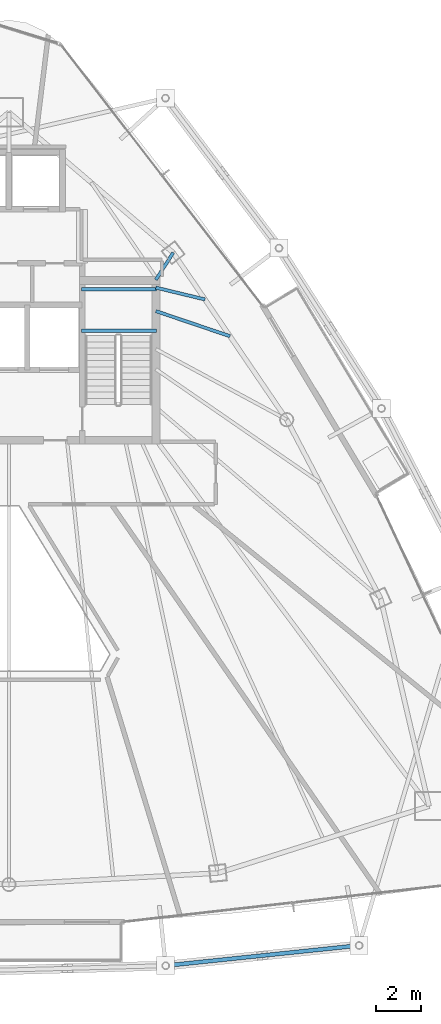
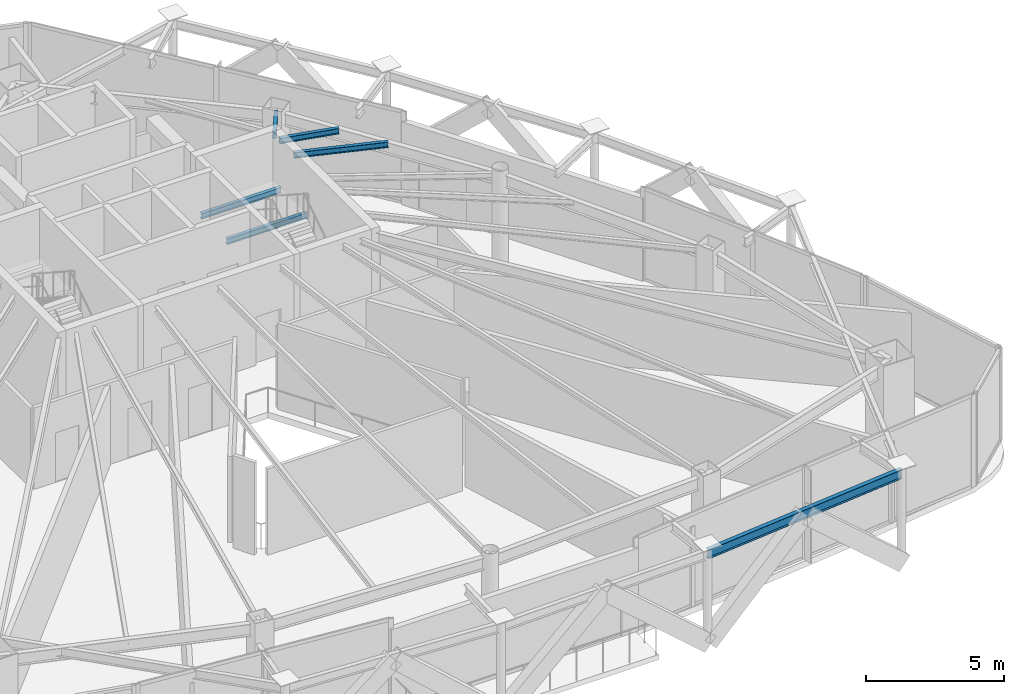
# One storey, part 10 of 25: 6 beams.
"""IFC4 building model written with IfcOpenShell, lengths in metres."""

from ifc_helpers import new_model, si_unit, direction, frame, origin, origin_2d, place, context, subcontext, project, spatial, i_section, extrude, material, material_profile, profile_set, type_object, element, save


model = new_model("IFC4")

# Units and contexts
model_context = context("Model", 3, precision=1e-05, world=origin(), true_north=direction((0.0, 1.0)))
body_context = subcontext(model_context, "Body", "Model", "MODEL_VIEW")
ifc_project = project(units=[si_unit("LENGTHUNIT", "METRE"), si_unit("AREAUNIT", "SQUARE_METRE"), si_unit("VOLUMEUNIT", "CUBIC_METRE"), si_unit("PLANEANGLEUNIT", "RADIAN"), si_unit("MASSUNIT", "GRAM", prefix="KILO")], contexts=[model_context])

# Site, building, storey
site_placement = place(None, origin())
site = spatial("IfcSite", under=ifc_project, at=site_placement, CompositionType="ELEMENT")
building_placement = place(site_placement, origin())
building = spatial("IfcBuilding", under=site, at=building_placement, Name="Orvanel Arch Residences", CompositionType="ELEMENT")
storey_placement = place(building_placement, frame((0.0, 0.0, 236.0)))
storey = spatial("IfcBuildingStorey", under=building, at=storey_placement, Name="L67", CompositionType="ELEMENT", Elevation=236.0)

# Beams
ifc_material = material(Name="Structural steel AS/NZS 3679.1 Grade 300 (300 MPa)", Category="steel")
ifc_material_profile_1 = material_profile(ifc_material, i_section(OverallWidth=0.14599609375, OverallDepth=0.251953125, WebThickness=0.006103515625, FlangeThickness=0.008544921875, at=origin_2d()), Name="250UB31.4")
ifc_profile_set_1 = profile_set([ifc_material_profile_1], Name="Structural steel AS/NZS 3679.1 Grade 300 (300 MPa)")
beam_type_1 = type_object("IfcBeamType", Name="BJ-250UB", PredefinedType="JOIST", material=ifc_profile_set_1)
for number, where, z_axis, x_axis, name in (
    (1, (36.25, 31.6201171875, 1.84912109375), (1.0, 0.0, 0.0), (0.0, 1.0, 0.0), "L67 ST-2 Half-Landing Support Beam 1.1"),
    (2, (36.25, 33.47998046875, 1.84912109375), (1.0, 0.0, 0.0), (0.0, 1.0, 0.0), "L67 ST-2 Half-Landing Support Beam 1.2"),
):
    element("IfcBeam", number, at=place(storey_placement, frame(where, z_axis=z_axis, x_axis=x_axis)), inside=storey, type_object=beam_type_1, Name=name, PredefinedType="JOIST", context=body_context, shape_type="SweptSolid", body=[
        extrude(i_section(OverallWidth=0.14599609375, OverallDepth=0.251953125, WebThickness=0.006103515625, FlangeThickness=0.008544921875, at=origin_2d()), origin(), (0.0, 0.0, 1.0), 3.35009765625),
    ])
beam_1_placement = place(storey_placement, frame((39.574951171875, 33.89990234375, 3.98388671875), z_axis=(0.539395075146, 0.842052820735, 0.0), x_axis=(-0.842052820735, 0.539395075146, 0.0)))
element("IfcBeam", 3, at=beam_1_placement, inside=storey, type_object=beam_type_1, Name="L67 NNE Wing Floor Joist", PredefinedType="JOIST", context=body_context, shape_type="SweptSolid", body=[
    extrude(i_section(OverallWidth=0.14599609375, OverallDepth=0.251953125, WebThickness=0.006103515625, FlangeThickness=0.008544921875, at=origin_2d()), origin(), (0.0, 0.0, 1.0), 1.440673828125),
])
beam_2_placement = place(storey_placement, frame((39.574951171875, 32.5, 3.98388671875), z_axis=(0.947159269453, -0.320763648641, 0.0), x_axis=(0.320763648641, 0.947159269453, 0.0)))
element("IfcBeam", 4, at=beam_2_placement, inside=storey, type_object=beam_type_1, Name="L67 ENE Wing Floor Joist", PredefinedType="JOIST", context=body_context, shape_type="SweptSolid", body=[
    extrude(i_section(OverallWidth=0.14599609375, OverallDepth=0.251953125, WebThickness=0.006103515625, FlangeThickness=0.008544921875, at=origin_2d()), origin(), (0.0, 0.0, 1.0), 3.501220703125),
])
beam_3_placement = place(storey_placement, frame((39.574951171875, 33.550048828125, 3.98388671875), z_axis=(0.972256833016, -0.23391590509, 0.0), x_axis=(0.23391590509, 0.972256833016, 0.0)))
element("IfcBeam", 5, at=beam_3_placement, inside=storey, type_object=beam_type_1, Name="L67 JADD4 Wing Floor Joist", PredefinedType="JOIST", context=body_context, shape_type="SweptSolid", body=[
    extrude(i_section(OverallWidth=0.14599609375, OverallDepth=0.251953125, WebThickness=0.006103515625, FlangeThickness=0.008544921875, at=origin_2d()), origin(), (0.0, 0.0, 1.0), 2.26171875),
])
ifc_material_profile_2 = material_profile(ifc_material, i_section(OverallWidth=0.177978515625, OverallDepth=0.406005859375, WebThickness=0.0078125, FlangeThickness=0.0126953125, at=origin_2d()), Name="410UB59.7")
ifc_profile_set_2 = profile_set([ifc_material_profile_2], Name="Structural steel AS/NZS 3679.1 Grade 300 (300 MPa)")
beam_type_2 = type_object("IfcBeamType", Name="OB-410UB-EXT", PredefinedType="SPANDREL", material=ifc_profile_set_2)
beam_4_placement = place(storey_placement, frame((40.014892578125, 3.2109375, 3.906982421875), z_axis=(0.994578528099, 0.103988227434, 0.0), x_axis=(-0.103988227434, 0.994578528099, 0.0)))
element("IfcBeam", 6, at=beam_4_placement, inside=storey, type_object=beam_type_2, Name="L67 Outer Perimeter Floor Ring Beam 07", PredefinedType="SPANDREL", context=body_context, shape_type="SweptSolid", body=[
    extrude(i_section(OverallWidth=0.177978515625, OverallDepth=0.406005859375, WebThickness=0.0078125, FlangeThickness=0.0126953125, at=origin_2d()), origin(), (0.0, 0.0, 1.0), 8.703125),
])

save(model, "model.ifc")
